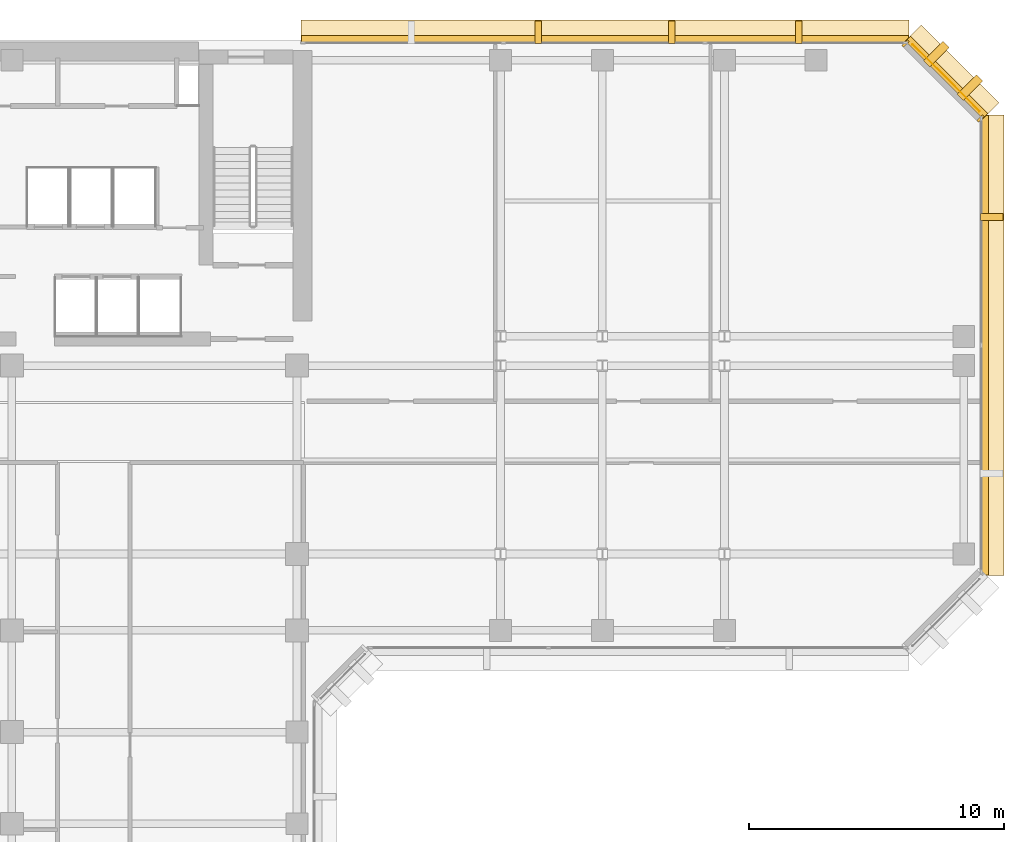
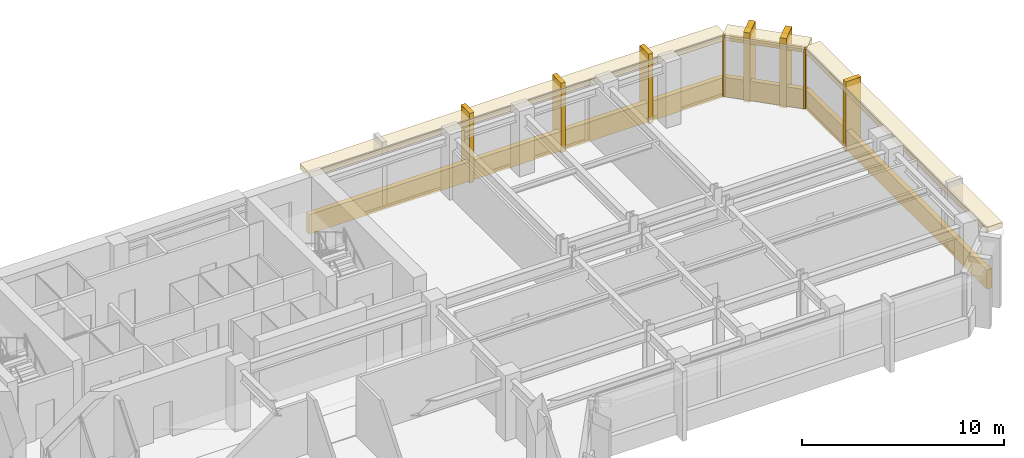
# One storey, part 11 of 11: 15 coverings.
"""IFC4 building model written with IfcOpenShell, lengths in metres."""

from ifc_helpers import new_model, si_unit, direction, frame, origin, origin_2d, place, context, subcontext, project, spatial, rectangle, extrude, material, layer, layer_set, type_object, element, save


model = new_model("IFC4")

# Units and contexts
model_context = context("Model", 3, precision=1e-05, world=origin(), true_north=direction((0.0, 1.0)))
body_context = subcontext(model_context, "Body", "Model", "MODEL_VIEW")
ifc_project = project(units=[si_unit("LENGTHUNIT", "METRE"), si_unit("AREAUNIT", "SQUARE_METRE"), si_unit("VOLUMEUNIT", "CUBIC_METRE"), si_unit("PLANEANGLEUNIT", "RADIAN"), si_unit("MASSUNIT", "GRAM", prefix="KILO")], contexts=[model_context])

# Site, building, storey
site_placement = place(None, origin())
site = spatial("IfcSite", under=ifc_project, at=site_placement, CompositionType="ELEMENT")
building_placement = place(site_placement, origin())
building = spatial("IfcBuilding", under=site, at=building_placement, Name="Kefirva Bronze Tower", CompositionType="ELEMENT")
storey_placement = place(building_placement, frame((0.0, 0.0, 170.610107421875)))
storey = spatial("IfcBuildingStorey", under=building, at=storey_placement, Name="L41", CompositionType="ELEMENT", Elevation=170.610107421875)

# Coverings
ifc_material = material(Name="Bronze anodised aluminium", Category="aluminium")
ifc_layer_1 = layer(ifc_material, 0.02001953125, Name="Bronze anodised aluminium")
ifc_layer_set_1 = layer_set([ifc_layer_1], Name="Bronze anodised aluminium")
covering_type_1 = type_object("IfcCoveringType", Name="Anodised Bronze Spandrel Cladding 20mm", PredefinedType="CLADDING", material=ifc_layer_set_1)
covering_1_placement = place(storey_placement, frame((50.239990234375, 34.0, -0.16015625), z_axis=(0.0, 0.0, 1.0), x_axis=(0.0, 1.0, 0.0)))
element("IfcCovering", 1, at=covering_1_placement, inside=storey, type_object=covering_type_1, Name="L41 Streamline Horizontal Spandrel Band 6", PredefinedType="CLADDING", context=body_context, shape_type="SweptSolid", body=[
    extrude(rectangle(XDim=18.0400390625, YDim=0.280029296875, at=origin_2d()), origin(), (0.0, 0.0, 1.0), 1.179931640625),
])
covering_2_placement = place(storey_placement, frame((48.70703125, 44.507080078125, 3.18994140625), z_axis=(0.0, 0.0, 1.0), x_axis=(-0.707106781187, 0.707106781187, 0.0)))
element("IfcCovering", 2, at=covering_2_placement, inside=storey, type_object=covering_type_1, Name="L41 Bronze Spandrel Cladding 4", PredefinedType="CLADDING", context=body_context, shape_type="SweptSolid", body=[
    extrude(rectangle(XDim=3.719482421875, YDim=0.02001953125, at=origin_2d()), origin(), (0.0, 0.0, 1.0), 0.39990234375),
])
for number, where, z_axis, x_axis, name in (
    (3, (50.06201171875, 42.91162109375, 0.0), (0.0, 0.0, 1.0), (-0.707106781187, 0.707106781187, 0.0), "L41 Facade Joint Closure Panel 4S"),
    (4, (47.11181640625, 45.862060546875, 0.0), (0.0, 0.0, 1.0), (-0.707106781187, 0.707106781187, 0.0), "L41 Facade Joint Closure Panel 4E"),
):
    element("IfcCovering", number, at=place(storey_placement, frame(where, z_axis=z_axis, x_axis=x_axis)), inside=storey, type_object=covering_type_1, Name=name, PredefinedType="CLADDING", context=body_context, shape_type="SweptSolid", body=[
        extrude(rectangle(XDim=0.10009765625, YDim=0.320068359375, at=origin_2d()), origin(), (0.0, 0.0, 1.0), 3.610107421875),
    ])
covering_3_placement = place(storey_placement, frame((48.728271484375, 44.5283203125, -0.16015625), z_axis=(0.0, 0.0, 1.0), x_axis=(-0.707106781187, 0.707106781187, 0.0)))
element("IfcCovering", 5, at=covering_3_placement, inside=storey, type_object=covering_type_1, Name="L41 Streamline Horizontal Spandrel Band 7", PredefinedType="CLADDING", context=body_context, shape_type="SweptSolid", body=[
    extrude(rectangle(XDim=4.28271484375, YDim=0.280029296875, at=origin_2d()), origin(), (0.0, 0.0, 1.0), 1.179931640625),
])
covering_4_placement = place(storey_placement, frame((35.302490234375, 46.0400390625, -0.16015625), z_axis=(0.0, 0.0, 1.0), x_axis=(-1.0, 0.0, 0.0)))
element("IfcCovering", 6, at=covering_4_placement, inside=storey, type_object=covering_type_1, Name="L41 Streamline Horizontal Spandrel Band 8", PredefinedType="CLADDING", context=body_context, shape_type="SweptSolid", body=[
    extrude(rectangle(XDim=23.8349609375, YDim=0.280029296875, at=origin_2d()), origin(), (0.0, 0.0, 1.0), 1.179931640625),
])
ifc_layer_2 = layer(ifc_material, 0.179931640625, Name="Bronze anodised aluminium")
ifc_layer_set_2 = layer_set([ifc_layer_2], Name="Bronze anodised aluminium")
covering_type_2 = type_object("IfcCoveringType", Name="Streamline Bronze Sunshade Eyebrow Cladding 180mm", PredefinedType="CLADDING", material=ifc_layer_set_2)
covering_5_placement = place(storey_placement, frame((50.510009765625, 34.0, 3.2900390625), z_axis=(0.0, 0.0, 1.0), x_axis=(0.0, 1.0, 0.0)))
element("IfcCovering", 7, at=covering_5_placement, inside=storey, type_object=covering_type_2, Name="L41 Streamline Bronze Sunshade Eyebrow 6", PredefinedType="CLADDING", context=body_context, shape_type="SweptSolid", body=[
    extrude(rectangle(XDim=18.080078125, YDim=0.93994140625, at=origin_2d()), origin(), (0.0, 0.0, 1.0), 0.320068359375),
])
covering_6_placement = place(storey_placement, frame((48.919189453125, 44.71923828125, 3.2900390625), z_axis=(0.0, 0.0, 1.0), x_axis=(-0.707106781187, 0.707106781187, 0.0)))
element("IfcCovering", 8, at=covering_6_placement, inside=storey, type_object=covering_type_2, Name="L41 Streamline Bronze Sunshade Eyebrow 7", PredefinedType="CLADDING", context=body_context, shape_type="SweptSolid", body=[
    extrude(rectangle(XDim=4.322509765625, YDim=0.93994140625, at=origin_2d()), origin(), (0.0, 0.0, 1.0), 0.320068359375),
])
covering_7_placement = place(storey_placement, frame((35.302490234375, 46.31005859375, 3.2900390625), z_axis=(0.0, 0.0, 1.0), x_axis=(-1.0, 0.0, 0.0)))
element("IfcCovering", 9, at=covering_7_placement, inside=storey, type_object=covering_type_2, Name="L41 Streamline Bronze Sunshade Eyebrow 8", PredefinedType="CLADDING", context=body_context, shape_type="SweptSolid", body=[
    extrude(rectangle(XDim=23.875, YDim=0.93994140625, at=origin_2d()), origin(), (0.0, 0.0, 1.0), 0.320068359375),
])
ifc_layer_3 = layer(ifc_material, 0.260009765625, Name="Bronze anodised aluminium")
ifc_layer_set_3 = layer_set([ifc_layer_3], Name="Bronze anodised aluminium")
covering_type_3 = type_object("IfcCoveringType", Name="Unbroken Bronze Buttress Fin Cladding 260mm", PredefinedType="CLADDING", material=ifc_layer_set_3)
covering_8_placement = place(storey_placement, frame((50.5, 39.0400390625, -0.25), z_axis=(0.0, 0.0, 1.0), x_axis=(0.0, 1.0, 0.0)))
element("IfcCovering", 10, at=covering_8_placement, inside=storey, type_object=covering_type_3, Name="L41 Unbroken Vertical Bronze Rib Fin 14", PredefinedType="CLADDING", context=body_context, shape_type="SweptSolid", body=[
    extrude(rectangle(XDim=0.260009765625, YDim=0.8798828125, at=origin_2d()), origin(), (0.0, 0.0, 1.0), 4.2099609375),
])
for number, where, z_axis, x_axis, name in (
    (11, (49.642822265625, 44.122802734375, -0.25), (0.0, 0.0, 1.0), (-0.707106781187, 0.707106781187, 0.0), "L41 Chamfered Corner Buttress Fin Cladding 15"),
    (12, (48.32275390625, 45.44287109375, -0.25), (0.0, 0.0, 1.0), (-0.707106781187, 0.707106781187, 0.0), "L41 Chamfered Corner Buttress Fin Cladding 16"),
):
    element("IfcCovering", number, at=place(storey_placement, frame(where, z_axis=z_axis, x_axis=x_axis)), inside=storey, type_object=covering_type_3, Name=name, PredefinedType="CLADDING", context=body_context, shape_type="SweptSolid", body=[
        extrude(rectangle(XDim=0.340087890625, YDim=1.080078125, at=origin_2d()), origin(), (0.0, 0.0, 1.0), 4.2099609375),
    ])
for number, where, z_axis, x_axis, name in (
    (13, (42.9169921875, 46.300048828125, -0.25), (0.0, 0.0, 1.0), (-1.0, 0.0, 0.0), "L41 Unbroken Vertical Bronze Rib Fin 17"),
    (14, (37.919921875, 46.300048828125, -0.25), (0.0, 0.0, 1.0), (-1.0, 0.0, 0.0), "L41 Unbroken Vertical Bronze Rib Fin 18"),
    (15, (32.68505859375, 46.300048828125, -0.25), (0.0, 0.0, 1.0), (-1.0, 0.0, 0.0), "L41 Unbroken Vertical Bronze Rib Fin 19"),
):
    element("IfcCovering", number, at=place(storey_placement, frame(where, z_axis=z_axis, x_axis=x_axis)), inside=storey, type_object=covering_type_3, Name=name, PredefinedType="CLADDING", context=body_context, shape_type="SweptSolid", body=[
        extrude(rectangle(XDim=0.260009765625, YDim=0.8798828125, at=origin_2d()), origin(), (0.0, 0.0, 1.0), 4.2099609375),
    ])

save(model, "model.ifc")
